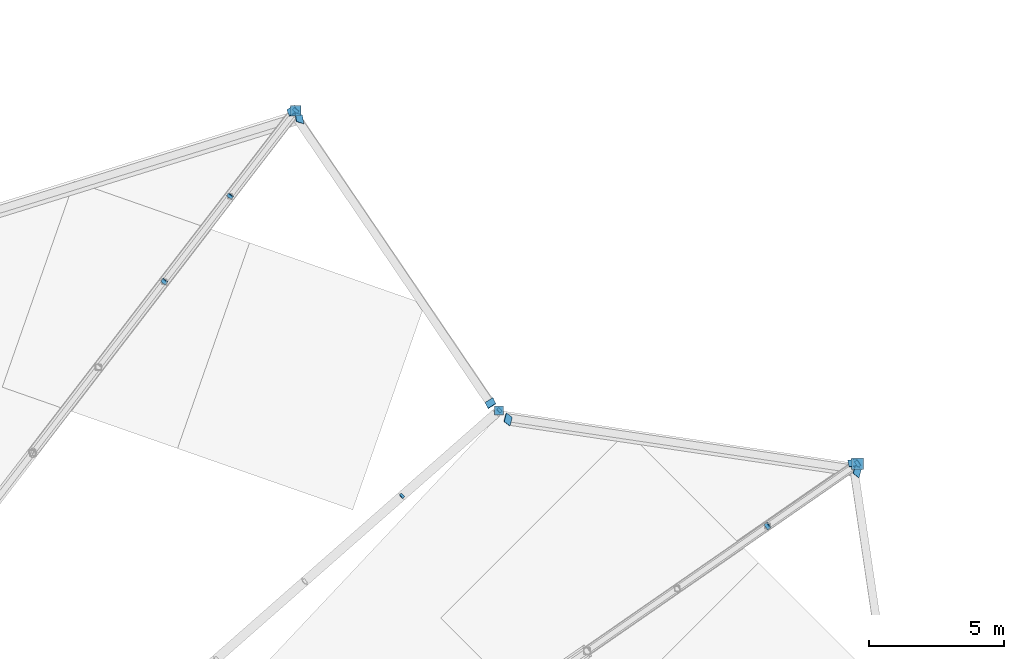
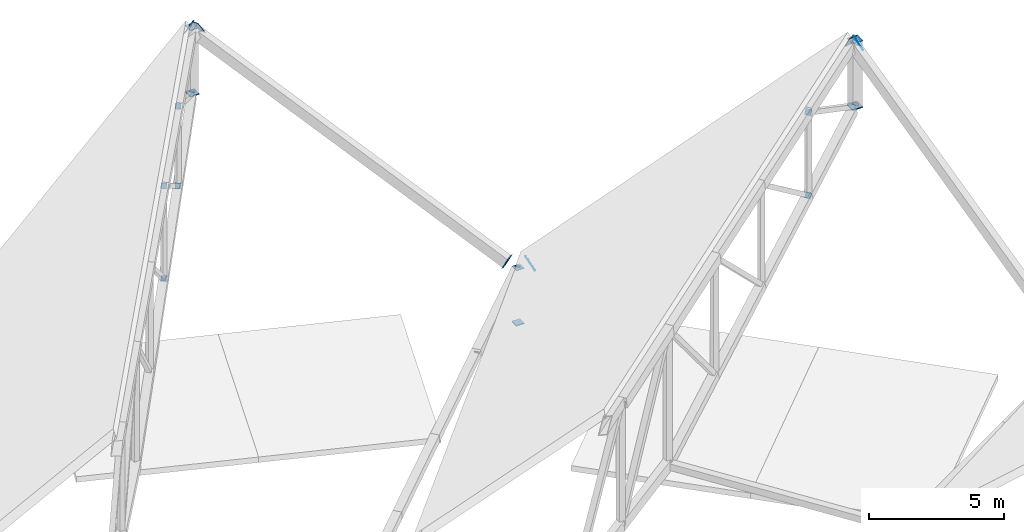
# One storey, part 188 of 188: 25 discrete accessories.
"""IFC4 building model written with IfcOpenShell, lengths in metres."""

from ifc_helpers import new_model, si_unit, direction, frame, origin, origin_2d, place, context, subcontext, project, spatial, rectangle, extrude, material, material_profile, profile_set, type_object, element, save


model = new_model("IFC4")

# Units and contexts
model_context = context("Model", 3, precision=1e-05, world=origin(), true_north=direction((0.0, 1.0)))
body_context = subcontext(model_context, "Body", "Model", "MODEL_VIEW")
ifc_project = project(units=[si_unit("LENGTHUNIT", "METRE"), si_unit("AREAUNIT", "SQUARE_METRE"), si_unit("VOLUMEUNIT", "CUBIC_METRE"), si_unit("PLANEANGLEUNIT", "RADIAN"), si_unit("MASSUNIT", "GRAM", prefix="KILO")], contexts=[model_context])

# Site, building, storey
site_placement = place(None, origin())
site = spatial("IfcSite", under=ifc_project, at=site_placement, CompositionType="ELEMENT")
building_placement = place(site_placement, origin())
building = spatial("IfcBuilding", under=site, at=building_placement, Name="Meseta Stadium", CompositionType="ELEMENT")
storey_placement = place(building_placement, frame((0.0, 0.0, 30.0)))
storey = spatial("IfcBuildingStorey", under=building, at=storey_placement, Name="ROOF", CompositionType="ELEMENT", Elevation=30.0)

# Discrete accessories
ifc_material_1 = material(Name="Steel S355", Category="steel")
ifc_material_profile_1 = material_profile(ifc_material_1, rectangle(XDim=0.179931640625, YDim=0.179931640625, at=origin_2d()), Name="PL 180x180")
ifc_profile_set_1 = profile_set([ifc_material_profile_1], Name="Steel S355")
discrete_accessory_type_1 = type_object("IfcDiscreteAccessoryType", Name="End plate 180x180x20", PredefinedType="ANCHORPLATE", material=ifc_profile_set_1)
for number, where, z_axis, x_axis, name in (
    (1, (68.239501953125, 87.9716796875, 2.893798828125), (0.625355108861, 0.551783919583, 0.551783919583), (-0.661621637087, 0.749837855365, 0.0), "End plate of ROOF TRUSS RT-13 diagonal"),
    (2, (71.856689453125, 91.15087890625, 3.559814453125), (0.632736394544, 0.547560341432, 0.547560341432), (-0.654376744439, 0.756168682463, 0.0), "End plate of ROOF TRUSS RT-13 diagonal"),
):
    element("IfcDiscreteAccessory", number, at=place(storey_placement, frame(where, z_axis=z_axis, x_axis=x_axis)), inside=storey, type_object=discrete_accessory_type_1, Name=name, PredefinedType="ANCHORPLATE", context=body_context, shape_type="SweptSolid", body=[
        extrude(rectangle(XDim=0.179931640625, YDim=0.179931640625, at=origin_2d()), origin(), (0.0, 0.0, 1.0), 0.02001953125),
    ])
ifc_material_2 = material(Name="Steel S355", Category="steel")
ifc_material_profile_2 = material_profile(ifc_material_2, rectangle(XDim=0.219970703125, YDim=0.219970703125, at=origin_2d()), Name="PL 220x220")
ifc_profile_set_2 = profile_set([ifc_material_profile_2], Name="Steel S355")
discrete_accessory_type_2 = type_object("IfcDiscreteAccessoryType", Name="End plate 220x220x20", PredefinedType="ANCHORPLATE", material=ifc_profile_set_2)
for number, where, z_axis, x_axis, name in (
    (3, (59.410400390625, 95.935302734375, 4.511962890625), (0.465845815066, 0.600695919427, -0.649732321013), (-0.790219801195, 0.612823519294, 0.0), "End plate of ROOF TRUSS RT-14 diagonal"),
    (4, (59.400390625, 95.922119140625, 8.730224609375), (0.500409485234, 0.659075907382, -0.561435032214), (-0.79644631635, 0.604709240191, 0.0), "End plate of ROOF TRUSS RT-14 diagonal"),
    (5, (61.85400390625, 99.11328125, 5.94091796875), (0.500932106249, 0.647546381249, -0.574239243749), (-0.790956681595, 0.611872149913, 0.0), "End plate of ROOF TRUSS RT-14 diagonal"),
):
    element("IfcDiscreteAccessory", number, at=place(storey_placement, frame(where, z_axis=z_axis, x_axis=x_axis)), inside=storey, type_object=discrete_accessory_type_2, Name=name, PredefinedType="ANCHORPLATE", context=body_context, shape_type="SweptSolid", body=[
        extrude(rectangle(XDim=0.219970703125, YDim=0.219970703125, at=origin_2d()), origin(), (0.0, 0.0, 1.0), 0.02001953125),
    ])
for number, where, z_axis, x_axis, name in (
    (6, (61.84326171875, 99.09912109375, 9.553955078125), (0.532756370713, 0.702269761394, -0.472215874041), (-0.796691270902, 0.604386481374, 0.0), "End plate of ROOF TRUSS RT-14 diagonal"),
    (7, (64.29736328125, 102.291015625, 7.369873046875), (0.532756370713, 0.702269761394, -0.472215874041), (-0.796691270902, 0.604386481374, 0.0), "End plate of ROOF TRUSS RT-14 diagonal"),
):
    element("IfcDiscreteAccessory", number, at=place(storey_placement, frame(where, z_axis=z_axis, x_axis=x_axis)), inside=storey, type_object=discrete_accessory_type_2, Name=name, PredefinedType="ANCHORPLATE", context=body_context, shape_type="SweptSolid", body=[
        extrude(rectangle(XDim=0.219970703125, YDim=0.219970703125, at=origin_2d()), origin(), (0.0, 0.0, 1.0), 0.020263671875),
    ])
ifc_material_3 = material(Name="Steel S355", Category="steel")
ifc_material_profile_3 = material_profile(ifc_material_3, rectangle(XDim=0.239990234375, YDim=0.239990234375, at=origin_2d()), Name="PL 240x240")
ifc_profile_set_3 = profile_set([ifc_material_profile_3], Name="Steel S355")
discrete_accessory_type_3 = type_object("IfcDiscreteAccessoryType", Name="End plate 240x240x20", PredefinedType="ANCHORPLATE", material=ifc_profile_set_3)
discrete_accessory_1_placement = place(storey_placement, frame((81.82421875, 86.8525390625, 5.9482421875), z_axis=(0.653425270619, 0.456164811564, -0.604110155855), x_axis=(-0.572423567845, 0.81995808367, 0.0)))
element("IfcDiscreteAccessory", 8, at=discrete_accessory_1_placement, inside=storey, type_object=discrete_accessory_type_3, Name="End plate of ROOF TRUSS RT-12 diagonal", PredefinedType="ANCHORPLATE", context=body_context, shape_type="SweptSolid", body=[
    extrude(rectangle(XDim=0.239990234375, YDim=0.239990234375, at=origin_2d()), origin(), (0.0, 0.0, 1.0), 0.019775390625),
])
discrete_accessory_2_placement = place(storey_placement, frame((81.809814453125, 86.842529296875, 9.73876953125), z_axis=(0.717487647354, 0.498593110873, -0.486432303291), x_axis=(-0.570656615896, 0.821188788729, 0.0)))
element("IfcDiscreteAccessory", 9, at=discrete_accessory_2_placement, inside=storey, type_object=discrete_accessory_type_3, Name="End plate of ROOF TRUSS RT-12 diagonal", PredefinedType="ANCHORPLATE", context=body_context, shape_type="SweptSolid", body=[
    extrude(rectangle(XDim=0.239990234375, YDim=0.239990234375, at=origin_2d()), origin(), (0.0, 0.0, 1.0), 0.02001953125),
])
discrete_accessory_3_placement = place(storey_placement, frame((85.173828125, 89.173828125, 7.431396484375), z_axis=(0.715885732986, 0.493714298611, -0.493714298611), x_axis=(-0.567732955804, 0.823212785915, 0.0)))
element("IfcDiscreteAccessory", 10, at=discrete_accessory_3_placement, inside=storey, type_object=discrete_accessory_type_3, Name="End plate of ROOF TRUSS RT-12 diagonal", PredefinedType="ANCHORPLATE", context=body_context, shape_type="SweptSolid", body=[
    extrude(rectangle(XDim=0.239990234375, YDim=0.239990234375, at=origin_2d()), origin(), (0.0, 0.0, 1.0), 0.019775390625),
])
ifc_material_4 = material(Name="Steel S355", Category="steel")
ifc_material_profile_4 = material_profile(ifc_material_4, rectangle(XDim=0.340087890625, YDim=0.340087890625, at=origin_2d()), Name="PL 340x340")
ifc_profile_set_4 = profile_set([ifc_material_profile_4], Name="Steel S355")
discrete_accessory_type_4 = type_object("IfcDiscreteAccessoryType", Name="End plate 340x340x20", PredefinedType="ANCHORPLATE", material=ifc_profile_set_4)
for number, where, z_axis, x_axis, name in (
    (11, (71.856689453125, 91.15087890625, 1.046142578125), (0.0, 0.0, 1.0), (1.0, 0.0, 0.0), "End plate of ROOF TRUSS RT-13 post"),
    (12, (71.856689453125, 91.15087890625, 3.559814453125), (0.0, 0.0, 1.0), (1.0, 0.0, 0.0), "End plate of ROOF TRUSS RT-13 post"),
    (13, (71.856689453125, 91.15087890625, 1.066162109375), (0.0, 0.0, 1.0), (1.0, 0.0, 0.0), "End plate of ROOF RIM POST RT-13"),
):
    element("IfcDiscreteAccessory", number, at=place(storey_placement, frame(where, z_axis=z_axis, x_axis=x_axis)), inside=storey, type_object=discrete_accessory_type_4, Name=name, PredefinedType="ANCHORPLATE", context=body_context, shape_type="SweptSolid", body=[
        extrude(rectangle(XDim=0.340087890625, YDim=0.340087890625, at=origin_2d()), origin(), (0.0, 0.0, 1.0), 0.02001953125),
    ])
ifc_material_5 = material(Name="Steel S355", Category="steel")
ifc_material_profile_5 = material_profile(ifc_material_5, rectangle(XDim=0.340087890625, YDim=0.5400390625, at=origin_2d()), Name="PL 340x540")
ifc_profile_set_5 = profile_set([ifc_material_profile_5], Name="Steel S355")
discrete_accessory_type_5 = type_object("IfcDiscreteAccessoryType", Name="End plate 340x540x20", PredefinedType="ANCHORPLATE", material=ifc_profile_set_5)
for number, where, z_axis, x_axis, name in (
    (14, (85.004150390625, 89.189697265625, 10.409423828125), (-0.134647899862, 0.881331708191, 0.452906572265), (-0.986198757973, -0.163632676308, 0.025226117743), "End plate of RIM RING BEAM 12"),
    (15, (85.16796875, 88.889892578125, 10.462890625), (-0.881331708191, 0.134647899862, -0.452906572265), (-0.257255852383, -0.940750942046, 0.220923270515), "End plate of RIM RING BEAM 13"),
    (16, (72.1953125, 90.81591796875, 3.838623046875), (-0.882721561183, 0.122600216831, -0.453620802274), (-0.244614049247, -0.944138036234, 0.220833275228), "End plate of RIM RING BEAM 13"),
    (17, (71.5419921875, 91.414306640625, 3.773193359375), (-0.498261636192, 0.741316092871, 0.449650744856), (-0.845025028433, -0.531298331847, -0.060454808733), "End plate of RIM RING BEAM 14"),
    (18, (64.165771484375, 102.28515625, 10.40869140625), (-0.502774258378, 0.735767207382, 0.453723111219), (-0.841077266683, -0.537541719735, -0.060315263511), "End plate of RIM RING BEAM 14"),
    (19, (64.437744140625, 102.00927734375, 10.489990234375), (-0.851823594126, -0.267715986725, -0.450249614038), (0.15435067023, -0.949653193771, 0.27264387424), "End plate of RIM RING BEAM 15"),
):
    element("IfcDiscreteAccessory", number, at=place(storey_placement, frame(where, z_axis=z_axis, x_axis=x_axis)), inside=storey, type_object=discrete_accessory_type_5, Name=name, PredefinedType="ANCHORPLATE", context=body_context, shape_type="SweptSolid", body=[
        extrude(rectangle(XDim=0.340087890625, YDim=0.5400390625, at=origin_2d()), origin(), (0.0, 0.0, 1.0), 0.02001953125),
    ])
ifc_material_6 = material(Name="Steel S355", Category="steel")
ifc_material_profile_6 = material_profile(ifc_material_6, rectangle(XDim=0.389892578125, YDim=0.389892578125, at=origin_2d()), Name="PL 390x390")
ifc_profile_set_6 = profile_set([ifc_material_profile_6], Name="Steel S355")
discrete_accessory_type_6 = type_object("IfcDiscreteAccessoryType", Name="End plate 390x390x20", PredefinedType="ANCHORPLATE", material=ifc_profile_set_6)
for number, where, z_axis, x_axis, name in (
    (20, (64.29736328125, 102.291015625, 7.349853515625), (0.0, 0.0, 1.0), (1.0, 0.0, 0.0), "End plate of ROOF TRUSS RT-14 post"),
    (21, (64.29736328125, 102.291015625, 10.369873046875), (0.0, 0.0, 1.0), (1.0, 0.0, 0.0), "End plate of ROOF TRUSS RT-14 post"),
    (22, (64.29736328125, 102.291015625, 7.369873046875), (0.0, 0.0, 1.0), (1.0, 0.0, 0.0), "End plate of ROOF RIM POST RT-14"),
):
    element("IfcDiscreteAccessory", number, at=place(storey_placement, frame(where, z_axis=z_axis, x_axis=x_axis)), inside=storey, type_object=discrete_accessory_type_6, Name=name, PredefinedType="ANCHORPLATE", context=body_context, shape_type="SweptSolid", body=[
        extrude(rectangle(XDim=0.389892578125, YDim=0.389892578125, at=origin_2d()), origin(), (0.0, 0.0, 1.0), 0.02001953125),
    ])
ifc_material_7 = material(Name="Steel S355", Category="steel")
ifc_material_profile_7 = material_profile(ifc_material_7, rectangle(XDim=0.43994140625, YDim=0.43994140625, at=origin_2d()), Name="PL 440x440")
ifc_profile_set_7 = profile_set([ifc_material_profile_7], Name="Steel S355")
discrete_accessory_type_7 = type_object("IfcDiscreteAccessoryType", Name="End plate 440x440x20", PredefinedType="ANCHORPLATE", material=ifc_profile_set_7)
for number, where, z_axis, x_axis, name in (
    (23, (85.173828125, 89.173828125, 7.411376953125), (0.0, 0.0, 1.0), (1.0, 0.0, 0.0), "End plate of ROOF TRUSS RT-12 post"),
    (24, (85.173828125, 89.173828125, 10.431396484375), (0.0, 0.0, 1.0), (1.0, 0.0, 0.0), "End plate of ROOF TRUSS RT-12 post"),
    (25, (85.173828125, 89.173828125, 7.431396484375), (0.0, 0.0, 1.0), (1.0, 0.0, 0.0), "End plate of ROOF RIM POST RT-12"),
):
    element("IfcDiscreteAccessory", number, at=place(storey_placement, frame(where, z_axis=z_axis, x_axis=x_axis)), inside=storey, type_object=discrete_accessory_type_7, Name=name, PredefinedType="ANCHORPLATE", context=body_context, shape_type="SweptSolid", body=[
        extrude(rectangle(XDim=0.43994140625, YDim=0.43994140625, at=origin_2d()), origin(), (0.0, 0.0, 1.0), 0.02001953125),
    ])

save(model, "model.ifc")
